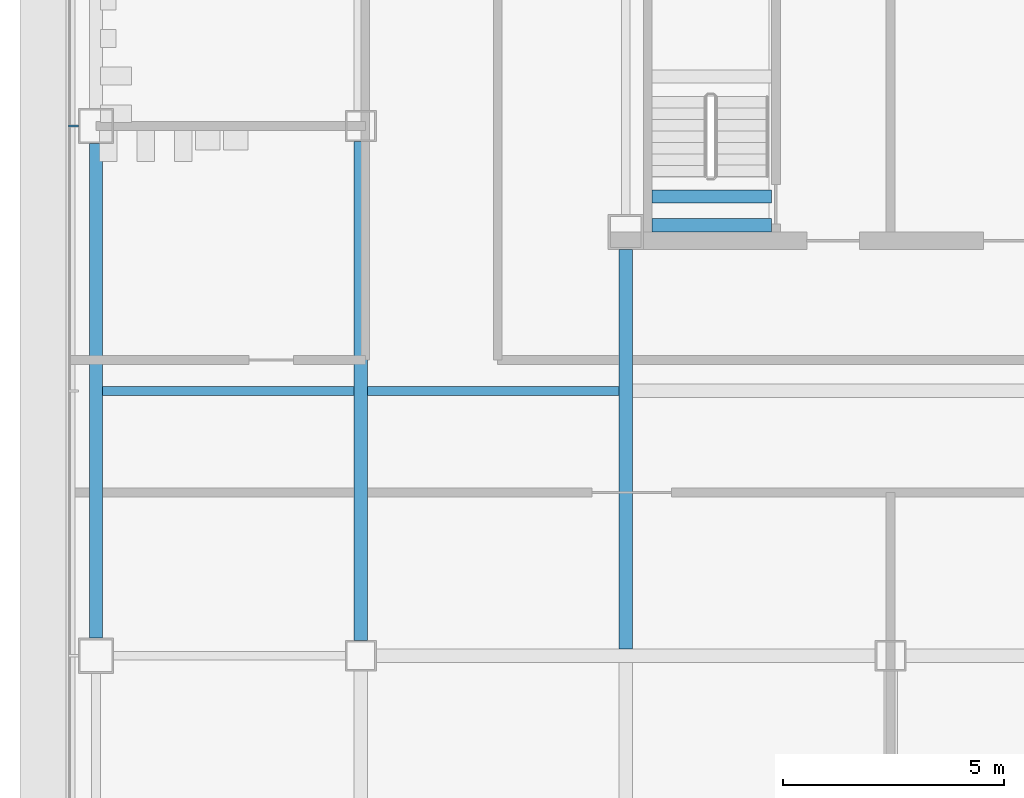
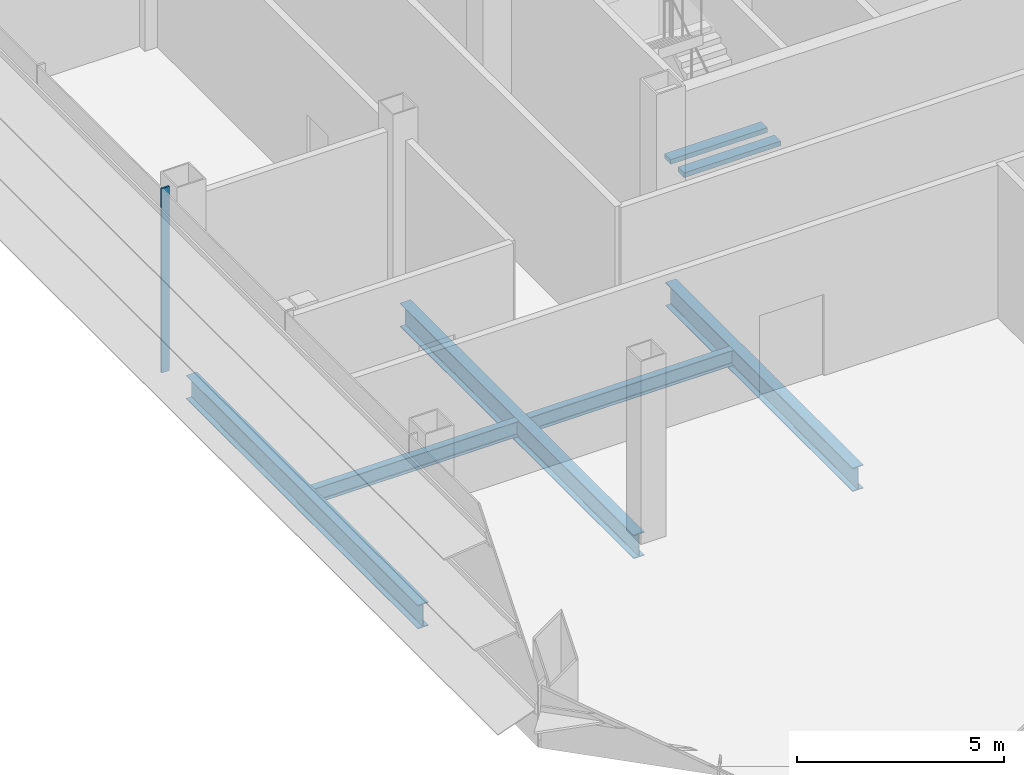
# One storey, part 3 of 23: 7 beams, 1 member, 1 element without a shape of its own.
"""IFC4 building model written with IfcOpenShell, lengths in metres."""

from ifc_helpers import new_model, si_unit, direction, frame, origin, origin_2d, place, context, subcontext, project, spatial, rectangle, i_section, extrude, material, material_profile, profile_set, type_object, element, aggregate, save


model = new_model("IFC4")

# Units and contexts
model_context = context("Model", 3, precision=1e-05, world=origin(), true_north=direction((0.0, 1.0)))
body_context = subcontext(model_context, "Body", "Model", "MODEL_VIEW")
ifc_project = project(units=[si_unit("LENGTHUNIT", "METRE"), si_unit("AREAUNIT", "SQUARE_METRE"), si_unit("VOLUMEUNIT", "CUBIC_METRE"), si_unit("PLANEANGLEUNIT", "RADIAN"), si_unit("MASSUNIT", "GRAM", prefix="KILO")], contexts=[model_context])

# Site, building, storey
site_placement = place(None, origin())
site = spatial("IfcSite", under=ifc_project, at=site_placement, CompositionType="ELEMENT")
building_placement = place(site_placement, origin())
building = spatial("IfcBuilding", under=site, at=building_placement, Name="Sorahane Residences", CompositionType="ELEMENT")
storey_placement = place(building_placement, frame((0.0, 0.0, 114.199951171875)))
storey = spatial("IfcBuildingStorey", under=building, at=storey_placement, Name="L25", CompositionType="ELEMENT", Elevation=114.199951171875)

# Curtain wall, member
ifc_material_1 = material(Name="Dark low-e glass and black anodised aluminium", Category="aluminium")
curtain_wall_type = type_object("IfcCurtainWallType", Name="Curtain wall CW-4 Sky floor frameless wall", PredefinedType="NOTDEFINED", material=ifc_material_1)
curtain_wall_placement = place(storey_placement, origin())
curtain_wall = element("IfcCurtainWall", 1, at=curtain_wall_placement, inside=storey, type_object=curtain_wall_type, Name="CW-4 curtain wall L25 W1", PredefinedType="NOTDEFINED")
ifc_material_2 = material(Name="Black anodised aluminium", Category="aluminium")
ifc_material_profile_1 = material_profile(ifc_material_2, rectangle(XDim=0.219970703125, YDim=0.050048828125, at=origin_2d()), Name="Curtain wall mullion CW-4 black anodised aluminium 50x220")
ifc_profile_set_1 = profile_set([ifc_material_profile_1], Name="Black anodised aluminium")
member_type = type_object("IfcMemberType", Name="Curtain wall mullion CW-4 black anodised aluminium 50x220", PredefinedType="MULLION", material=ifc_profile_set_1)
member_placement = place(storey_placement, frame((-6.510009765625, 24.0, -0.219970703125), z_axis=(0.0, 0.0, 1.0), x_axis=(-1.0, 0.0, 0.0)))
member = element("IfcMember", 2, at=member_placement, type_object=member_type, Name="CW-4 mullion L25 W1.4", PredefinedType="MULLION", context=body_context, shape_type="SweptSolid", body=[
    extrude(rectangle(XDim=0.219970703125, YDim=0.050048828125, at=origin_2d()), origin(), (0.0, 0.0, 1.0), 5.43994140625),
])
aggregate(curtain_wall, [member])

# Beams
ifc_material_3 = material(Name="Concrete C40", Category="concrete")
ifc_material_profile_2 = material_profile(ifc_material_3, rectangle(XDim=0.300048828125, YDim=0.139892578125, at=origin_2d()), Name="300x140")
ifc_profile_set_2 = profile_set([ifc_material_profile_2], Name="Concrete C40")
beam_type_1 = type_object("IfcBeamType", Name="RC landing beam 300 x 140 Concrete C40", PredefinedType="BEAM", material=ifc_profile_set_2)
for number, where, z_axis, x_axis, name in (
    (3, (6.60009765625, 21.75, 2.429931640625), (1.0, 0.0, 0.0), (0.0, 1.0, 0.0), "Landing beam"),
    (4, (6.60009765625, 22.39990234375, 2.429931640625), (1.0, 0.0, 0.0), (0.0, 1.0, 0.0), "Landing beam"),
):
    element("IfcBeam", number, at=place(storey_placement, frame(where, z_axis=z_axis, x_axis=x_axis)), inside=storey, type_object=beam_type_1, Name=name, PredefinedType="BEAM", context=body_context, shape_type="SweptSolid", body=[
        extrude(rectangle(XDim=0.300048828125, YDim=0.139892578125, at=origin_2d()), origin(), (0.0, 0.0, 1.0), 2.699951171875),
    ])
ifc_material_4 = material(Name="Steel Q355B", Category="steel")
ifc_material_profile_3 = material_profile(ifc_material_4, i_section(OverallWidth=0.199951171875, OverallDepth=0.449951171875, WebThickness=0.009033203125, FlangeThickness=0.013916015625, FilletRadius=0.02001953125, at=origin_2d()), Name="HN 450x200x9x14")
ifc_profile_set_3 = profile_set([ifc_material_profile_3], Name="Steel Q355B")
beam_type_2 = type_object("IfcBeamType", Name="Steel floor beam HN 450x200x9x14 Q355B", PredefinedType="BEAM", material=ifc_profile_set_3)
for number, where, z_axis, x_axis, name in (
    (5, (-5.85009765625, 18.0, -0.445068359375), (1.0, 0.0, 0.0), (0.0, 1.0, 0.0), "Beam L25 078"),
    (6, (0.14990234375, 18.0, -0.445068359375), (1.0, 0.0, 0.0), (0.0, 1.0, 0.0), "Beam L25 079"),
):
    element("IfcBeam", number, at=place(storey_placement, frame(where, z_axis=z_axis, x_axis=x_axis)), inside=storey, type_object=beam_type_2, Name=name, PredefinedType="BEAM", context=body_context, shape_type="SweptSolid", body=[
        extrude(i_section(OverallWidth=0.199951171875, OverallDepth=0.449951171875, WebThickness=0.009033203125, FlangeThickness=0.013916015625, FilletRadius=0.02001953125, at=origin_2d()), origin(), (0.0, 0.0, 1.0), 5.7001953125),
    ])
ifc_material_5 = material(Name="Steel Q355B", Category="steel")
ifc_material_profile_4 = material_profile(ifc_material_5, i_section(OverallWidth=0.300048828125, OverallDepth=0.699951171875, WebThickness=0.012939453125, FlangeThickness=0.02392578125, FilletRadius=0.028076171875, at=origin_2d()), Name="HN 700x300x13x24")
ifc_profile_set_4 = profile_set([ifc_material_profile_4], Name="Steel Q355B")
beam_type_3 = type_object("IfcBeamType", Name="Steel floor beam HN 700x300x13x24 Q355B", PredefinedType="BEAM", material=ifc_profile_set_4)
beam_1_placement = place(storey_placement, frame((-6.0, 12.39990234375, -0.570068359375), z_axis=(0.0, 1.0, 0.0), x_axis=(-1.0, 0.0, 0.0)))
element("IfcBeam", 7, at=beam_1_placement, inside=storey, type_object=beam_type_3, Name="Beam L25 021", PredefinedType="BEAM", context=body_context, shape_type="SweptSolid", body=[
    extrude(i_section(OverallWidth=0.300048828125, OverallDepth=0.699951171875, WebThickness=0.012939453125, FlangeThickness=0.02392578125, FilletRadius=0.028076171875, at=origin_2d()), origin(), (0.0, 0.0, 1.0), 11.2001953125),
])
beam_2_placement = place(storey_placement, frame((0.0, 12.35009765625, -0.570068359375), z_axis=(0.0, 1.0, 0.0), x_axis=(-1.0, 0.0, 0.0)))
element("IfcBeam", 8, at=beam_2_placement, inside=storey, type_object=beam_type_3, Name="Beam L25 025", PredefinedType="BEAM", context=body_context, shape_type="SweptSolid", body=[
    extrude(i_section(OverallWidth=0.300048828125, OverallDepth=0.699951171875, WebThickness=0.012939453125, FlangeThickness=0.02392578125, FilletRadius=0.028076171875, at=origin_2d()), origin(), (0.0, 0.0, 1.0), 11.2998046875),
])
beam_3_placement = place(storey_placement, frame((6.0, 12.14990234375, -0.570068359375), z_axis=(0.0, 1.0, 0.0), x_axis=(-1.0, 0.0, 0.0)))
element("IfcBeam", 9, at=beam_3_placement, inside=storey, type_object=beam_type_3, Name="Beam L25 029", PredefinedType="BEAM", context=body_context, shape_type="SweptSolid", body=[
    extrude(i_section(OverallWidth=0.300048828125, OverallDepth=0.699951171875, WebThickness=0.012939453125, FlangeThickness=0.02392578125, FilletRadius=0.028076171875, at=origin_2d()), origin(), (0.0, 0.0, 1.0), 9.050048828125),
])

save(model, "model.ifc")
